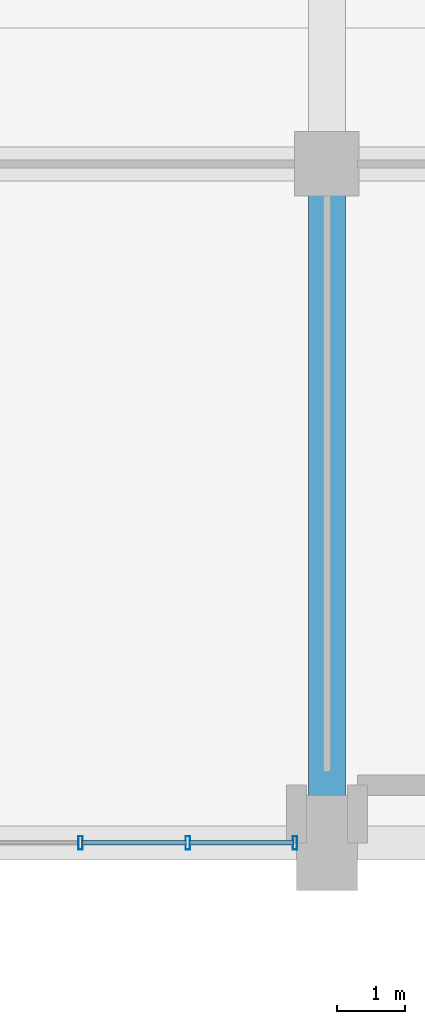
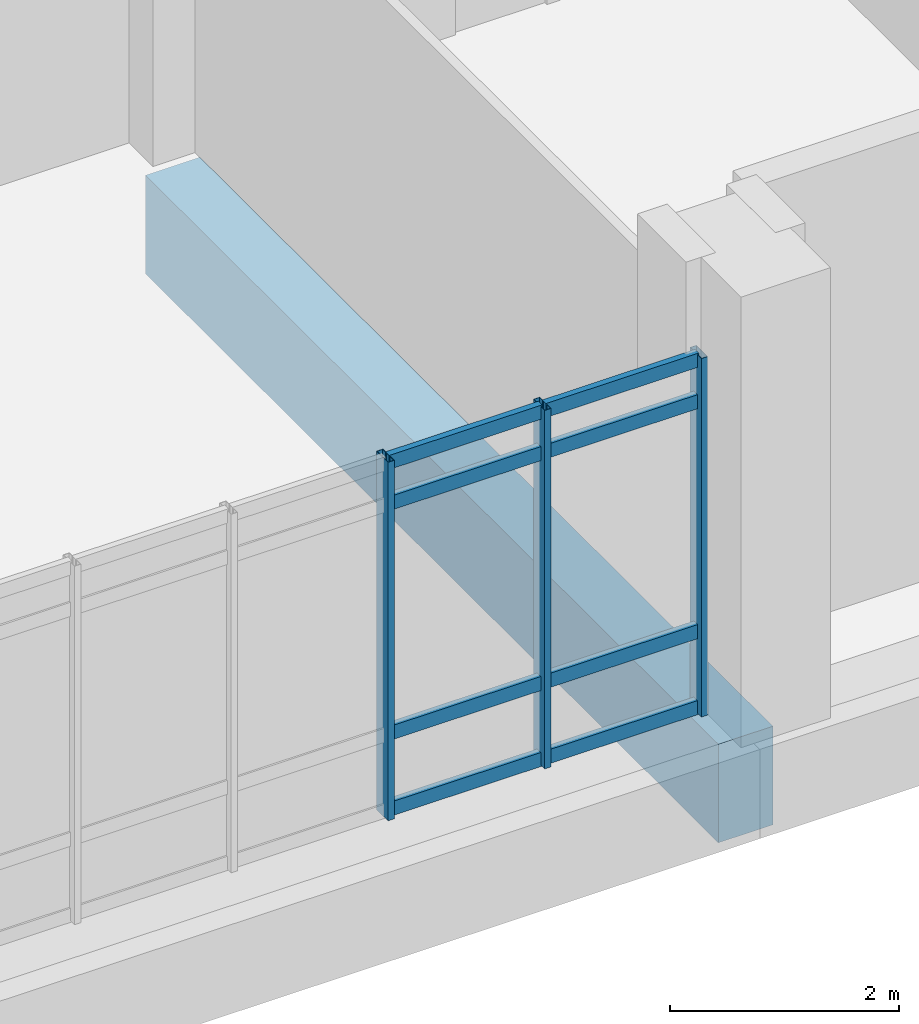
# One storey, part 10 of 87: 11 members, 1 beam, 1 element without a shape of its own.
"""IFC4 building model written with IfcOpenShell, lengths in metres."""

from ifc_helpers import new_model, si_unit, direction, frame, origin, origin_2d, place, context, subcontext, project, spatial, rectangle, hollow_rectangle, extrude, material, layer, layer_set, material_profile, profile_set, type_object, element, aggregate, save


model = new_model("IFC4")

# Units and contexts
model_context = context("Model", 3, precision=1e-05, world=origin(), true_north=direction((0.0, 1.0)))
body_context = subcontext(model_context, "Body", "Model", "MODEL_VIEW")
ifc_project = project(units=[si_unit("LENGTHUNIT", "METRE"), si_unit("AREAUNIT", "SQUARE_METRE"), si_unit("VOLUMEUNIT", "CUBIC_METRE"), si_unit("PLANEANGLEUNIT", "RADIAN"), si_unit("MASSUNIT", "GRAM", prefix="KILO")], contexts=[model_context])

# Site, building, storey
site_placement = place(None, origin())
site = spatial("IfcSite", under=ifc_project, at=site_placement, CompositionType="ELEMENT")
building_placement = place(site_placement, origin())
building = spatial("IfcBuilding", under=site, at=building_placement, Name="Mersad Railyard Sports Hall", CompositionType="ELEMENT")
storey_placement = place(building_placement, origin())
storey = spatial("IfcBuildingStorey", under=building, at=storey_placement, Name="L00", CompositionType="ELEMENT", Elevation=0.0)

# Curtain wall, members
ifc_material_1 = material(Name="Aluminium 6063-T6", Category="aluminium")
ifc_layer = layer(ifc_material_1, 0.199951171875)
ifc_layer_set = layer_set([ifc_layer], Name="Aluminium 6063-T6")
curtain_wall_type = type_object("IfcCurtainWallType", Name="ARC-CW-CW01", PredefinedType="USERDEFINED", material=ifc_layer_set)
curtain_wall_placement = place(storey_placement, origin())
curtain_wall = element("IfcCurtainWall", 1, at=curtain_wall_placement, inside=storey, type_object=curtain_wall_type, Name="Curtain wall CW01-0007", ObjectType="CURTAIN WALL", PredefinedType="USERDEFINED")
ifc_material_profile_1 = material_profile(ifc_material_1, hollow_rectangle(XDim=0.06494140625, YDim=0.199951171875, WallThickness=0.0048828125, at=origin_2d()), Name="AL MULLION 65x200x5")
ifc_profile_set_1 = profile_set([ifc_material_profile_1], Name="Aluminium 6063-T6")
member_type_1 = type_object("IfcMemberType", Name="ARC-CW-MUL02", PredefinedType="MULLION", material=ifc_profile_set_1)
member_1_placement = place(storey_placement, frame((42.530029296875, 3.5, -0.02001953125), z_axis=(0.0, 0.0, 1.0), x_axis=(1.0, 0.0, 0.0)))
member_1 = element("IfcMember", 2, at=member_1_placement, type_object=member_type_1, Name="CW01 Mullion 1", PredefinedType="MULLION", context=body_context, shape_type="SweptSolid", body=[
    extrude(hollow_rectangle(XDim=0.06494140625, YDim=0.199951171875, WallThickness=0.0048828125, at=origin_2d()), origin(), (0.0, 0.0, 1.0), 3.820068359375),
])
member_2_placement = place(storey_placement, frame((40.949951171875, 3.5, -0.02001953125), z_axis=(0.0, 0.0, 1.0), x_axis=(1.0, 0.0, 0.0)))
member_2 = element("IfcMember", 3, at=member_2_placement, type_object=member_type_1, Name="CW01 Mullion 2", PredefinedType="MULLION", context=body_context, shape_type="SweptSolid", body=[
    extrude(hollow_rectangle(XDim=0.06494140625, YDim=0.199951171875, WallThickness=0.0048828125, at=origin_2d()), origin(), (0.0, 0.0, 1.0), 3.820068359375),
])
member_3_placement = place(storey_placement, frame((39.3701171875, 3.5, -0.02001953125), z_axis=(0.0, 0.0, 1.0), x_axis=(1.0, 0.0, 0.0)))
member_3 = element("IfcMember", 4, at=member_3_placement, type_object=member_type_1, Name="CW01 Mullion 3", PredefinedType="MULLION", context=body_context, shape_type="SweptSolid", body=[
    extrude(hollow_rectangle(XDim=0.06494140625, YDim=0.199951171875, WallThickness=0.0048828125, at=origin_2d()), origin(), (0.0, 0.0, 1.0), 3.820068359375),
])
ifc_material_profile_2 = material_profile(ifc_material_1, hollow_rectangle(XDim=0.06494140625, YDim=0.14990234375, WallThickness=0.00439453125, at=origin_2d()), Name="AL TRANSOM 65x150x4.5")
ifc_profile_set_2 = profile_set([ifc_material_profile_2], Name="Aluminium 6063-T6")
member_type_2 = type_object("IfcMemberType", Name="ARC-CW-TRN02", PredefinedType="USERDEFINED", material=ifc_profile_set_2)
member_4_placement = place(storey_placement, frame((42.510009765625, 3.5, 0.0400390625), z_axis=(-1.0, 0.0, 0.0), x_axis=(0.0, -1.0, 0.0)))
member_4 = element("IfcMember", 5, at=member_4_placement, type_object=member_type_2, Name="CW01 Transom 1-1", ObjectType="TRANSOM", PredefinedType="USERDEFINED", context=body_context, shape_type="SweptSolid", body=[
    extrude(hollow_rectangle(XDim=0.06494140625, YDim=0.14990234375, WallThickness=0.00439453125, at=origin_2d()), origin(), (0.0, 0.0, 1.0), 1.5400390625),
])
member_5_placement = place(storey_placement, frame((40.929931640625, 3.5, 0.0400390625), z_axis=(-1.0, 0.0, 0.0), x_axis=(0.0, -1.0, 0.0)))
member_5 = element("IfcMember", 6, at=member_5_placement, type_object=member_type_2, Name="CW01 Transom 1-2", ObjectType="TRANSOM", PredefinedType="USERDEFINED", context=body_context, shape_type="SweptSolid", body=[
    extrude(hollow_rectangle(XDim=0.06494140625, YDim=0.14990234375, WallThickness=0.00439453125, at=origin_2d()), origin(), (0.0, 0.0, 1.0), 1.5400390625),
])
member_6_placement = place(storey_placement, frame((42.510009765625, 3.5, 0.85009765625), z_axis=(-1.0, 0.0, 0.0), x_axis=(0.0, -1.0, 0.0)))
member_6 = element("IfcMember", 7, at=member_6_placement, type_object=member_type_2, Name="CW01 Transom 2-1", ObjectType="TRANSOM", PredefinedType="USERDEFINED", context=body_context, shape_type="SweptSolid", body=[
    extrude(hollow_rectangle(XDim=0.06494140625, YDim=0.14990234375, WallThickness=0.00439453125, at=origin_2d()), origin(), (0.0, 0.0, 1.0), 1.5400390625),
])
member_7_placement = place(storey_placement, frame((40.929931640625, 3.5, 0.85009765625), z_axis=(-1.0, 0.0, 0.0), x_axis=(0.0, -1.0, 0.0)))
member_7 = element("IfcMember", 8, at=member_7_placement, type_object=member_type_2, Name="CW01 Transom 2-2", ObjectType="TRANSOM", PredefinedType="USERDEFINED", context=body_context, shape_type="SweptSolid", body=[
    extrude(hollow_rectangle(XDim=0.06494140625, YDim=0.14990234375, WallThickness=0.00439453125, at=origin_2d()), origin(), (0.0, 0.0, 1.0), 1.5400390625),
])
member_8_placement = place(storey_placement, frame((42.510009765625, 3.5, 3.300048828125), z_axis=(-1.0, 0.0, 0.0), x_axis=(0.0, -1.0, 0.0)))
member_8 = element("IfcMember", 9, at=member_8_placement, type_object=member_type_2, Name="CW01 Transom 3-1", ObjectType="TRANSOM", PredefinedType="USERDEFINED", context=body_context, shape_type="SweptSolid", body=[
    extrude(hollow_rectangle(XDim=0.06494140625, YDim=0.14990234375, WallThickness=0.00439453125, at=origin_2d()), origin(), (0.0, 0.0, 1.0), 1.5400390625),
])
member_9_placement = place(storey_placement, frame((40.929931640625, 3.5, 3.300048828125), z_axis=(-1.0, 0.0, 0.0), x_axis=(0.0, -1.0, 0.0)))
member_9 = element("IfcMember", 10, at=member_9_placement, type_object=member_type_2, Name="CW01 Transom 3-2", ObjectType="TRANSOM", PredefinedType="USERDEFINED", context=body_context, shape_type="SweptSolid", body=[
    extrude(hollow_rectangle(XDim=0.06494140625, YDim=0.14990234375, WallThickness=0.00439453125, at=origin_2d()), origin(), (0.0, 0.0, 1.0), 1.5400390625),
])
member_10_placement = place(storey_placement, frame((42.510009765625, 3.5, 3.739990234375), z_axis=(-1.0, 0.0, 0.0), x_axis=(0.0, -1.0, 0.0)))
member_10 = element("IfcMember", 11, at=member_10_placement, type_object=member_type_2, Name="CW01 Transom 4-1", ObjectType="TRANSOM", PredefinedType="USERDEFINED", context=body_context, shape_type="SweptSolid", body=[
    extrude(hollow_rectangle(XDim=0.06494140625, YDim=0.14990234375, WallThickness=0.00439453125, at=origin_2d()), origin(), (0.0, 0.0, 1.0), 1.5400390625),
])
member_11_placement = place(storey_placement, frame((40.929931640625, 3.5, 3.739990234375), z_axis=(-1.0, 0.0, 0.0), x_axis=(0.0, -1.0, 0.0)))
member_11 = element("IfcMember", 12, at=member_11_placement, type_object=member_type_2, Name="CW01 Transom 4-2", ObjectType="TRANSOM", PredefinedType="USERDEFINED", context=body_context, shape_type="SweptSolid", body=[
    extrude(hollow_rectangle(XDim=0.06494140625, YDim=0.14990234375, WallThickness=0.00439453125, at=origin_2d()), origin(), (0.0, 0.0, 1.0), 1.5400390625),
])
aggregate(curtain_wall, [member_1, member_2, member_3, member_4, member_5, member_6, member_7, member_8, member_9, member_10, member_11])

# Beam
ifc_material_2 = material(Name="Concrete C50/60", Category="concrete")
ifc_material_profile_3 = material_profile(ifc_material_2, rectangle(XDim=0.550048828125, YDim=1.050048828125, at=origin_2d()), Name="RC 550x1050")
ifc_profile_set_3 = profile_set([ifc_material_profile_3], Name="Concrete C50/60")
beam_type = type_object("IfcBeamType", Name="STR-BM-B04", PredefinedType="BEAM", material=ifc_profile_set_3)
beam_placement = place(storey_placement, frame((43.0, 3.5, -0.97509765625), z_axis=(0.0, 1.0, 0.0), x_axis=(-1.0, 0.0, 0.0)))
element("IfcBeam", 13, at=beam_placement, inside=storey, type_object=beam_type, Name="Beam B04-0038", PredefinedType="BEAM", context=body_context, shape_type="SweptSolid", body=[
    extrude(rectangle(XDim=0.550048828125, YDim=1.050048828125, at=origin_2d()), origin(), (0.0, 0.0, 1.0), 10.0),
])

save(model, "model.ifc")
